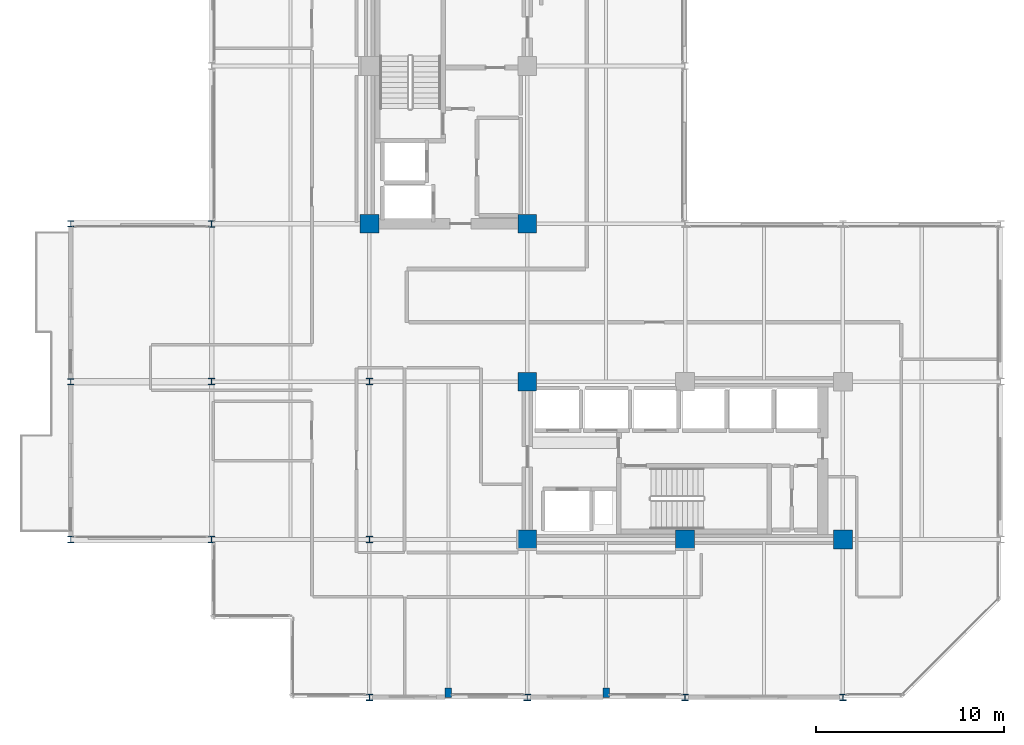
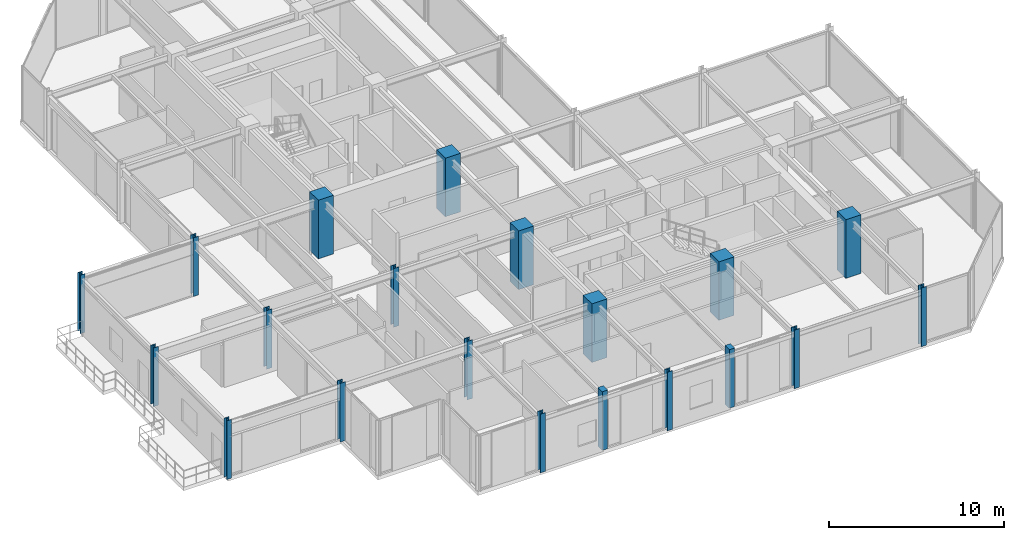
# One storey, part 1 of 29: 20 columns.
"""IFC4 building model written with IfcOpenShell, lengths in metres."""

from ifc_helpers import new_model, si_unit, direction, frame, origin, origin_2d, place, context, subcontext, project, spatial, rectangle, i_section, extrude, material, material_profile, profile_set, type_object, element, save


model = new_model("IFC4")

# Units and contexts
model_context = context("Model", 3, precision=1e-05, world=origin(), true_north=direction((0.0, 1.0)))
body_context = subcontext(model_context, "Body", "Model", "MODEL_VIEW")
ifc_project = project(units=[si_unit("LENGTHUNIT", "METRE"), si_unit("AREAUNIT", "SQUARE_METRE"), si_unit("VOLUMEUNIT", "CUBIC_METRE"), si_unit("PLANEANGLEUNIT", "RADIAN"), si_unit("MASSUNIT", "GRAM", prefix="KILO")], contexts=[model_context])

# Site, building, storey
site_placement = place(None, origin())
site = spatial("IfcSite", under=ifc_project, at=site_placement, CompositionType="ELEMENT")
building_placement = place(site_placement, origin())
building = spatial("IfcBuilding", under=site, at=building_placement, Name="Nerrivon Quay Data Exchange", CompositionType="ELEMENT")
storey_placement = place(building_placement, frame((0.0, 0.0, 175.5)))
storey = spatial("IfcBuildingStorey", under=building, at=storey_placement, Name="L41", CompositionType="ELEMENT", Elevation=175.5)

# Columns
ifc_material_1 = material(Name="Concrete S65 (65 MPa)", Category="concrete")
ifc_material_profile_1 = material_profile(ifc_material_1, rectangle(XDim=1.0, YDim=1.0, at=origin_2d()), Name="RC-COL-1000x1000")
ifc_profile_set_1 = profile_set([ifc_material_profile_1], Name="Concrete S65 (65 MPa)")
column_type_1 = type_object("IfcColumnType", Name="COL-C4-1000", PredefinedType="COLUMN", material=ifc_profile_set_1)
for number, where, z_axis, x_axis, name in (
    (1, (8.39990234375, 25.199951171875, 0.0), (0.0, 0.0, 1.0), (1.0, 0.0, 0.0), "L41 Column (8.4,25.2)"),
    (2, (16.800048828125, 8.39990234375, 0.0), (0.0, 0.0, 1.0), (1.0, 0.0, 0.0), "L41 Column (16.8,8.4)"),
    (3, (16.800048828125, 16.800048828125, 0.0), (0.0, 0.0, 1.0), (1.0, 0.0, 0.0), "L41 Column (16.8,16.8)"),
    (4, (16.800048828125, 25.199951171875, 0.0), (0.0, 0.0, 1.0), (1.0, 0.0, 0.0), "L41 Column (16.8,25.2)"),
    (5, (25.199951171875, 8.39990234375, 0.0), (0.0, 0.0, 1.0), (1.0, 0.0, 0.0), "L41 Column (25.2,8.4)"),
    (6, (33.60009765625, 8.39990234375, 0.0), (0.0, 0.0, 1.0), (1.0, 0.0, 0.0), "L41 Column (33.6,8.4)"),
):
    element("IfcColumn", number, at=place(storey_placement, frame(where, z_axis=z_axis, x_axis=x_axis)), inside=storey, type_object=column_type_1, Name=name, PredefinedType="COLUMN", context=body_context, shape_type="SweptSolid", body=[
        extrude(rectangle(XDim=1.0, YDim=1.0, at=origin_2d()), origin(), (0.0, 0.0, 1.0), 4.10009765625),
    ])
ifc_material_2 = material(Name="Steel Grade 350", Category="steel")
ifc_material_profile_2 = material_profile(ifc_material_2, i_section(OverallWidth=0.35009765625, OverallDepth=0.35009765625, WebThickness=0.02001953125, FlangeThickness=0.031982421875, at=origin_2d()), Name="350WC230")
ifc_profile_set_2 = profile_set([ifc_material_profile_2], Name="Steel Grade 350")
column_type_2 = type_object("IfcColumnType", Name="COL-SC3-350WC", PredefinedType="COLUMN", material=ifc_profile_set_2)
for number, where, z_axis, x_axis, name in (
    (7, (0.0, 8.39990234375, 0.0), (0.0, 0.0, 1.0), (1.0, 0.0, 0.0), "L41 Column (0.0,8.4)"),
    (8, (0.0, 16.800048828125, 0.0), (0.0, 0.0, 1.0), (1.0, 0.0, 0.0), "L41 Column (0.0,16.8)"),
    (9, (0.0, 25.199951171875, 0.0), (0.0, 0.0, 1.0), (1.0, 0.0, 0.0), "L41 Column (0.0,25.2)"),
    (10, (8.39990234375, 0.0, 0.0), (0.0, 0.0, 1.0), (1.0, 0.0, 0.0), "L41 Column (8.4,0.0)"),
    (11, (8.39990234375, 8.39990234375, 0.0), (0.0, 0.0, 1.0), (1.0, 0.0, 0.0), "L41 Column (8.4,8.4)"),
    (12, (8.39990234375, 16.800048828125, 0.0), (0.0, 0.0, 1.0), (1.0, 0.0, 0.0), "L41 Column (8.4,16.8)"),
    (13, (16.800048828125, 0.0, 0.0), (0.0, 0.0, 1.0), (1.0, 0.0, 0.0), "L41 Column (16.8,0.0)"),
    (14, (25.199951171875, 0.0, 0.0), (0.0, 0.0, 1.0), (1.0, 0.0, 0.0), "L41 Column (25.2,0.0)"),
    (15, (33.60009765625, 0.0, 0.0), (0.0, 0.0, 1.0), (1.0, 0.0, 0.0), "L41 Column (33.6,0.0)"),
):
    element("IfcColumn", number, at=place(storey_placement, frame(where, z_axis=z_axis, x_axis=x_axis)), inside=storey, type_object=column_type_2, Name=name, PredefinedType="COLUMN", context=body_context, shape_type="SweptSolid", body=[
        extrude(i_section(OverallWidth=0.35009765625, OverallDepth=0.35009765625, WebThickness=0.02001953125, FlangeThickness=0.031982421875, at=origin_2d()), origin(), (0.0, 0.0, 1.0), 4.10009765625),
    ])
ifc_material_profile_3 = material_profile(ifc_material_2, i_section(OverallWidth=0.31103515625, OverallDepth=0.326904296875, WebThickness=0.015625, FlangeThickness=0.02490234375, FilletRadius=0.0166015625, at=origin_2d()), Name="310UC158")
ifc_profile_set_3 = profile_set([ifc_material_profile_3], Name="Steel Grade 350")
column_type_3 = type_object("IfcColumnType", Name="COL-SC4-310UC158", PredefinedType="COLUMN", material=ifc_profile_set_3)
for number, where, z_axis, x_axis, name in (
    (16, (-7.5, 8.39990234375, 0.0), (0.0, 0.0, 1.0), (1.0, 0.0, 0.0), "L41 West Hooked Post (-7.5,8.4)"),
    (17, (-7.5, 16.800048828125, 0.0), (0.0, 0.0, 1.0), (1.0, 0.0, 0.0), "L41 West Hooked Post (-7.5,16.8)"),
    (18, (-7.5, 25.199951171875, 0.0), (0.0, 0.0, 1.0), (1.0, 0.0, 0.0), "L41 West Hooked Post (-7.5,25.2)"),
):
    element("IfcColumn", number, at=place(storey_placement, frame(where, z_axis=z_axis, x_axis=x_axis)), inside=storey, type_object=column_type_3, Name=name, PredefinedType="COLUMN", context=body_context, shape_type="SweptSolid", body=[
        extrude(i_section(OverallWidth=0.31103515625, OverallDepth=0.326904296875, WebThickness=0.015625, FlangeThickness=0.02490234375, FilletRadius=0.0166015625, at=origin_2d()), origin(), (0.0, 0.0, 1.0), 4.10009765625),
    ])
ifc_material_3 = material(Name="Concrete N50 (50 MPa)", Category="concrete")
ifc_material_profile_4 = material_profile(ifc_material_3, rectangle(XDim=0.35009765625, YDim=0.5, at=origin_2d()), Name="RC-PIL-500x350")
ifc_profile_set_4 = profile_set([ifc_material_profile_4], Name="Concrete N50 (50 MPa)")
column_type_4 = type_object("IfcColumnType", Name="PIL-P2-500x350", PredefinedType="PILASTER", material=ifc_profile_set_4)
for number, where, z_axis, x_axis, name in (
    (19, (12.60009765625, 0.25, 0.0), (0.0, 0.0, 1.0), (1.0, 0.0, 0.0), "L41 Facade Pilaster (12.6)"),
    (20, (21.0, 0.25, 0.0), (0.0, 0.0, 1.0), (1.0, 0.0, 0.0), "L41 Facade Pilaster (21.0)"),
):
    element("IfcColumn", number, at=place(storey_placement, frame(where, z_axis=z_axis, x_axis=x_axis)), inside=storey, type_object=column_type_4, Name=name, PredefinedType="PILASTER", context=body_context, shape_type="SweptSolid", body=[
        extrude(rectangle(XDim=0.35009765625, YDim=0.5, at=origin_2d()), origin(), (0.0, 0.0, 1.0), 4.10009765625),
    ])

save(model, "model.ifc")
